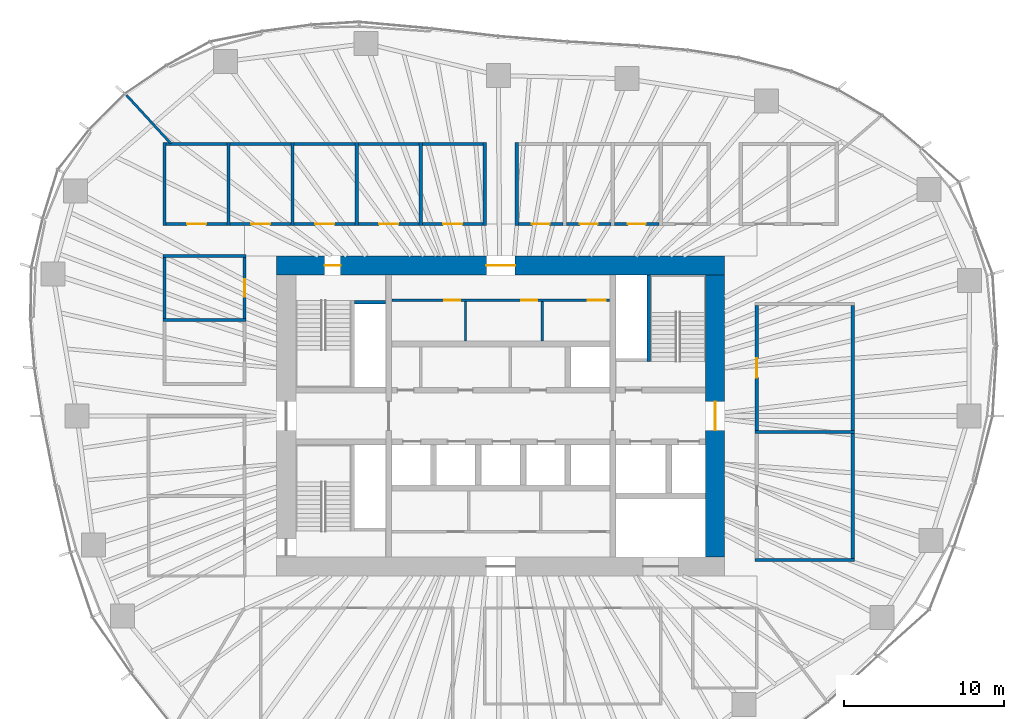
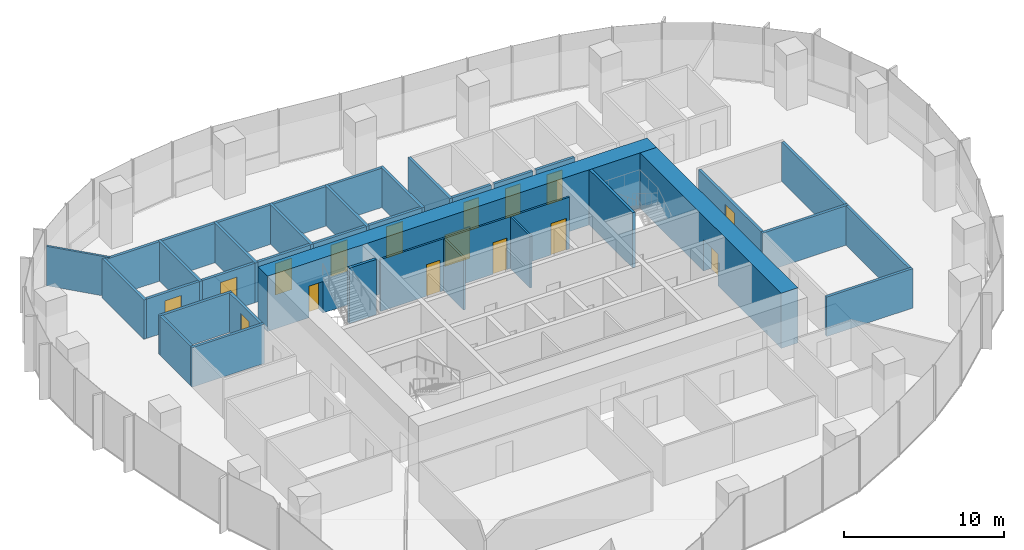
# One storey, part 10 of 18: 37 walls, 16 doors, 16 openings.
"""IFC4 building model written with IfcOpenShell, lengths in metres."""

from ifc_helpers import new_model, si_unit, direction, frame, frame_2d, origin, place, context, subcontext, project, spatial, rectangle, extrude, material, layer, layer_set, type_object, element, fill, save


model = new_model("IFC4")

# Units and contexts
model_context = context("Model", 3, precision=1e-05, world=origin(), true_north=direction((0.0, 1.0)))
body_context = subcontext(model_context, "Body", "Model", "MODEL_VIEW")
ifc_project = project(units=[si_unit("LENGTHUNIT", "METRE"), si_unit("AREAUNIT", "SQUARE_METRE"), si_unit("VOLUMEUNIT", "CUBIC_METRE"), si_unit("PLANEANGLEUNIT", "RADIAN"), si_unit("MASSUNIT", "GRAM", prefix="KILO")], contexts=[model_context])

# Site, building, storey
site_placement = place(None, origin())
site = spatial("IfcSite", under=ifc_project, at=site_placement, CompositionType="ELEMENT")
building_placement = place(site_placement, origin())
building = spatial("IfcBuilding", under=site, at=building_placement, Name="Ghaith Harvest Tower", CompositionType="ELEMENT")
storey_placement = place(building_placement, frame((0.0, 0.0, 134.39990234375)))
storey = spatial("IfcBuildingStorey", under=building, at=storey_placement, Name="L28", CompositionType="ELEMENT", Elevation=134.39990234375)

# Walls
ifc_material_1 = material(Name="Twin-stud gypsum board, acoustic", Category="gypsum")
ifc_layer_1 = layer(ifc_material_1, 0.199951171875)
ifc_layer_set_1 = layer_set([ifc_layer_1], Name="ACOUSTIC PARTITION 200")
wall_type_1 = type_object("IfcWallType", Name="ACOUSTIC PARTITION 200", PredefinedType="PARTITIONING", material=ifc_layer_set_1)
for number, where, z_axis, x_axis, name in (
    (1, (-21.0, 11.89990234375, 0.0), (0.0, 0.0, 1.0), (0.0, 1.0, 0.0), "Partition L28 row N3 cross wall 1"),
    (2, (-17.0, 11.89990234375, 0.0), (0.0, 0.0, 1.0), (0.0, 1.0, 0.0), "Partition L28 row N3 cross wall 2"),
    (3, (-13.0, 11.89990234375, 0.0), (0.0, 0.0, 1.0), (0.0, 1.0, 0.0), "Partition L28 row N3 cross wall 3"),
    (4, (-9.0, 11.89990234375, 0.0), (0.0, 0.0, 1.0), (0.0, 1.0, 0.0), "Partition L28 row N3 cross wall 4"),
    (5, (-5.0, 11.89990234375, 0.0), (0.0, 0.0, 1.0), (0.0, 1.0, 0.0), "Partition L28 row N3 cross wall 5"),
    (6, (-1.0, 11.89990234375, 0.0), (0.0, 0.0, 1.0), (0.0, 1.0, 0.0), "Partition L28 row N3 cross wall 6"),
):
    element("IfcWall", number, at=place(storey_placement, frame(where, z_axis=z_axis, x_axis=x_axis)), inside=storey, type_object=wall_type_1, Name=name, PredefinedType="PARTITIONING", context=body_context, shape_type="SweptSolid", body=[
        extrude(rectangle(XDim=5.2001953125, YDim=0.199951171875, at=frame_2d((2.60009765625, 0.0))), origin(), (0.0, 0.0, 1.0), 3.0),
    ])

# Wall, opening, door
wall_1_placement = place(storey_placement, frame((-20.89990234375, 12.0, 0.0), z_axis=(0.0, 0.0, 1.0), x_axis=(1.0, 0.0, 0.0)))
wall_1 = element("IfcWall", 7, at=wall_1_placement, inside=storey, type_object=wall_type_1, Name="Partition L28-04", PredefinedType="PARTITIONING", context=body_context, shape_type="SweptSolid", body=[
    extrude(rectangle(XDim=3.7998046875, YDim=0.199951171875, at=frame_2d((1.89990234375, 0.0))), origin(), (0.0, 0.0, 1.0), 3.0),
])
opening_1_placement = place(wall_1_placement, frame((1.300048828125, 0.0, 0.0)))
opening_1 = element("IfcOpeningElement", 8, at=opening_1_placement, cuts=wall_1, Name="Opening 28-029", PredefinedType="OPENING", context=body_context, shape_type="SweptSolid", body=[
    extrude(rectangle(XDim=1.199951171875, YDim=2.39990234375, at=frame_2d((0.60009765625, 1.199951171875))), frame((0.0, 0.10986328125, 0.0), z_axis=(0.0, -1.0, 0.0), x_axis=(1.0, 0.0, 0.0)), (0.0, 0.0, 1.0), 0.219970703125),
])
ifc_material_2 = material(Name="Timber door", Category="wood")
door_type_1 = type_object("IfcDoorType", Name="D11 GLAZED 1200x2400", OperationType="SINGLE_SWING_LEFT", PredefinedType="DOOR", material=ifc_material_2)
door_1_placement = place(opening_1_placement, origin())
door_1 = element("IfcDoor", 9, at=door_1_placement, inside=storey, type_object=door_type_1, Name="Meeting room door", OperationType="SINGLE_SWING_LEFT", OverallHeight=2.39990234375, OverallWidth=1.199951171875, PredefinedType="DOOR", context=body_context, shape_type="SweptSolid", body=[
    extrude(rectangle(XDim=1.199951171875, YDim=2.39990234375, at=frame_2d((0.60009765625, 1.199951171875))), frame((0.0, 0.02490234375, 0.0), z_axis=(0.0, -1.0, 0.0), x_axis=(1.0, 0.0, 0.0)), (0.0, 0.0, 1.0), 0.050048828125),
])
fill(opening_1, door_1)

# Wall
wall_2_placement = place(storey_placement, frame((-20.89990234375, 17.0, 0.0), z_axis=(0.0, 0.0, 1.0), x_axis=(1.0, 0.0, 0.0)))
element("IfcWall", 10, at=wall_2_placement, inside=storey, type_object=wall_type_1, Name="Partition L28-04", PredefinedType="PARTITIONING", context=body_context, shape_type="SweptSolid", body=[
    extrude(rectangle(XDim=3.7998046875, YDim=0.199951171875, at=frame_2d((1.89990234375, 0.0))), origin(), (0.0, 0.0, 1.0), 3.0),
])

# Wall, opening, door
wall_3_placement = place(storey_placement, frame((-16.89990234375, 12.0, 0.0), z_axis=(0.0, 0.0, 1.0), x_axis=(1.0, 0.0, 0.0)))
wall_3 = element("IfcWall", 11, at=wall_3_placement, inside=storey, type_object=wall_type_1, Name="Partition L28-05", PredefinedType="PARTITIONING", context=body_context, shape_type="SweptSolid", body=[
    extrude(rectangle(XDim=3.7998046875, YDim=0.199951171875, at=frame_2d((1.89990234375, 0.0))), origin(), (0.0, 0.0, 1.0), 3.0),
])
opening_2_placement = place(wall_3_placement, frame((1.300048828125, 0.0, 0.0)))
opening_2 = element("IfcOpeningElement", 12, at=opening_2_placement, cuts=wall_3, Name="Opening 28-030", PredefinedType="OPENING", context=body_context, shape_type="SweptSolid", body=[
    extrude(rectangle(XDim=1.199951171875, YDim=2.39990234375, at=frame_2d((0.60009765625, 1.199951171875))), frame((0.0, 0.10986328125, 0.0), z_axis=(0.0, -1.0, 0.0), x_axis=(1.0, 0.0, 0.0)), (0.0, 0.0, 1.0), 0.219970703125),
])
door_2_placement = place(opening_2_placement, origin())
door_2 = element("IfcDoor", 13, at=door_2_placement, inside=storey, type_object=door_type_1, Name="Meeting room door", OperationType="SINGLE_SWING_LEFT", OverallHeight=2.39990234375, OverallWidth=1.199951171875, PredefinedType="DOOR", context=body_context, shape_type="SweptSolid", body=[
    extrude(rectangle(XDim=1.199951171875, YDim=2.39990234375, at=frame_2d((0.60009765625, 1.199951171875))), frame((0.0, 0.02490234375, 0.0), z_axis=(0.0, -1.0, 0.0), x_axis=(1.0, 0.0, 0.0)), (0.0, 0.0, 1.0), 0.050048828125),
])
fill(opening_2, door_2)

# Wall
wall_4_placement = place(storey_placement, frame((-16.89990234375, 17.0, 0.0), z_axis=(0.0, 0.0, 1.0), x_axis=(1.0, 0.0, 0.0)))
element("IfcWall", 14, at=wall_4_placement, inside=storey, type_object=wall_type_1, Name="Partition L28-05", PredefinedType="PARTITIONING", context=body_context, shape_type="SweptSolid", body=[
    extrude(rectangle(XDim=3.7998046875, YDim=0.199951171875, at=frame_2d((1.89990234375, 0.0))), origin(), (0.0, 0.0, 1.0), 3.0),
])

# Wall, opening, door
wall_5_placement = place(storey_placement, frame((-12.89990234375, 12.0, 0.0), z_axis=(0.0, 0.0, 1.0), x_axis=(1.0, 0.0, 0.0)))
wall_5 = element("IfcWall", 15, at=wall_5_placement, inside=storey, type_object=wall_type_1, Name="Partition L28-06", PredefinedType="PARTITIONING", context=body_context, shape_type="SweptSolid", body=[
    extrude(rectangle(XDim=3.7998046875, YDim=0.199951171875, at=frame_2d((1.89990234375, 0.0))), origin(), (0.0, 0.0, 1.0), 3.0),
])
opening_3_placement = place(wall_5_placement, frame((1.300048828125, 0.0, 0.0)))
opening_3 = element("IfcOpeningElement", 16, at=opening_3_placement, cuts=wall_5, Name="Opening 28-031", PredefinedType="OPENING", context=body_context, shape_type="SweptSolid", body=[
    extrude(rectangle(XDim=1.199951171875, YDim=2.39990234375, at=frame_2d((0.60009765625, 1.199951171875))), frame((0.0, 0.10986328125, 0.0), z_axis=(0.0, -1.0, 0.0), x_axis=(1.0, 0.0, 0.0)), (0.0, 0.0, 1.0), 0.219970703125),
])
door_3_placement = place(opening_3_placement, origin())
door_3 = element("IfcDoor", 17, at=door_3_placement, inside=storey, type_object=door_type_1, Name="Meeting room door", OperationType="SINGLE_SWING_LEFT", OverallHeight=2.39990234375, OverallWidth=1.199951171875, PredefinedType="DOOR", context=body_context, shape_type="SweptSolid", body=[
    extrude(rectangle(XDim=1.199951171875, YDim=2.39990234375, at=frame_2d((0.60009765625, 1.199951171875))), frame((0.0, 0.02490234375, 0.0), z_axis=(0.0, -1.0, 0.0), x_axis=(1.0, 0.0, 0.0)), (0.0, 0.0, 1.0), 0.050048828125),
])
fill(opening_3, door_3)

# Wall
wall_6_placement = place(storey_placement, frame((-12.89990234375, 17.0, 0.0), z_axis=(0.0, 0.0, 1.0), x_axis=(1.0, 0.0, 0.0)))
element("IfcWall", 18, at=wall_6_placement, inside=storey, type_object=wall_type_1, Name="Partition L28-06", PredefinedType="PARTITIONING", context=body_context, shape_type="SweptSolid", body=[
    extrude(rectangle(XDim=3.7998046875, YDim=0.199951171875, at=frame_2d((1.89990234375, 0.0))), origin(), (0.0, 0.0, 1.0), 3.0),
])

# Wall, opening, door
wall_7_placement = place(storey_placement, frame((-8.89990234375, 12.0, 0.0), z_axis=(0.0, 0.0, 1.0), x_axis=(1.0, 0.0, 0.0)))
wall_7 = element("IfcWall", 19, at=wall_7_placement, inside=storey, type_object=wall_type_1, Name="Partition L28-07", PredefinedType="PARTITIONING", context=body_context, shape_type="SweptSolid", body=[
    extrude(rectangle(XDim=3.7998046875, YDim=0.199951171875, at=frame_2d((1.89990234375, 0.0))), origin(), (0.0, 0.0, 1.0), 3.0),
])
opening_4_placement = place(wall_7_placement, frame((1.300048828125, 0.0, 0.0)))
opening_4 = element("IfcOpeningElement", 20, at=opening_4_placement, cuts=wall_7, Name="Opening 28-032", PredefinedType="OPENING", context=body_context, shape_type="SweptSolid", body=[
    extrude(rectangle(XDim=1.199951171875, YDim=2.39990234375, at=frame_2d((0.60009765625, 1.199951171875))), frame((0.0, 0.10986328125, 0.0), z_axis=(0.0, -1.0, 0.0), x_axis=(1.0, 0.0, 0.0)), (0.0, 0.0, 1.0), 0.219970703125),
])
door_4_placement = place(opening_4_placement, origin())
door_4 = element("IfcDoor", 21, at=door_4_placement, inside=storey, type_object=door_type_1, Name="Meeting room door", OperationType="SINGLE_SWING_LEFT", OverallHeight=2.39990234375, OverallWidth=1.199951171875, PredefinedType="DOOR", context=body_context, shape_type="SweptSolid", body=[
    extrude(rectangle(XDim=1.199951171875, YDim=2.39990234375, at=frame_2d((0.60009765625, 1.199951171875))), frame((0.0, 0.02490234375, 0.0), z_axis=(0.0, -1.0, 0.0), x_axis=(1.0, 0.0, 0.0)), (0.0, 0.0, 1.0), 0.050048828125),
])
fill(opening_4, door_4)

# Wall
wall_8_placement = place(storey_placement, frame((-8.89990234375, 17.0, 0.0), z_axis=(0.0, 0.0, 1.0), x_axis=(1.0, 0.0, 0.0)))
element("IfcWall", 22, at=wall_8_placement, inside=storey, type_object=wall_type_1, Name="Partition L28-07", PredefinedType="PARTITIONING", context=body_context, shape_type="SweptSolid", body=[
    extrude(rectangle(XDim=3.7998046875, YDim=0.199951171875, at=frame_2d((1.89990234375, 0.0))), origin(), (0.0, 0.0, 1.0), 3.0),
])

# Wall, opening, door
wall_9_placement = place(storey_placement, frame((-4.89990234375, 12.0, 0.0), z_axis=(0.0, 0.0, 1.0), x_axis=(1.0, 0.0, 0.0)))
wall_9 = element("IfcWall", 23, at=wall_9_placement, inside=storey, type_object=wall_type_1, Name="Partition L28-08", PredefinedType="PARTITIONING", context=body_context, shape_type="SweptSolid", body=[
    extrude(rectangle(XDim=3.7998046875, YDim=0.199951171875, at=frame_2d((1.89990234375, 0.0))), origin(), (0.0, 0.0, 1.0), 3.0),
])
opening_5_placement = place(wall_9_placement, frame((1.300048828125, 0.0, 0.0)))
opening_5 = element("IfcOpeningElement", 24, at=opening_5_placement, cuts=wall_9, Name="Opening 28-033", PredefinedType="OPENING", context=body_context, shape_type="SweptSolid", body=[
    extrude(rectangle(XDim=1.199951171875, YDim=2.39990234375, at=frame_2d((0.60009765625, 1.199951171875))), frame((0.0, 0.10986328125, 0.0), z_axis=(0.0, -1.0, 0.0), x_axis=(1.0, 0.0, 0.0)), (0.0, 0.0, 1.0), 0.219970703125),
])
door_5_placement = place(opening_5_placement, origin())
door_5 = element("IfcDoor", 25, at=door_5_placement, inside=storey, type_object=door_type_1, Name="Meeting room door", OperationType="SINGLE_SWING_LEFT", OverallHeight=2.39990234375, OverallWidth=1.199951171875, PredefinedType="DOOR", context=body_context, shape_type="SweptSolid", body=[
    extrude(rectangle(XDim=1.199951171875, YDim=2.39990234375, at=frame_2d((0.60009765625, 1.199951171875))), frame((0.0, 0.02490234375, 0.0), z_axis=(0.0, -1.0, 0.0), x_axis=(1.0, 0.0, 0.0)), (0.0, 0.0, 1.0), 0.050048828125),
])
fill(opening_5, door_5)

# Walls
wall_10_placement = place(storey_placement, frame((-4.89990234375, 17.0, 0.0), z_axis=(0.0, 0.0, 1.0), x_axis=(1.0, 0.0, 0.0)))
element("IfcWall", 26, at=wall_10_placement, inside=storey, type_object=wall_type_1, Name="Partition L28-08", PredefinedType="PARTITIONING", context=body_context, shape_type="SweptSolid", body=[
    extrude(rectangle(XDim=3.7998046875, YDim=0.199951171875, at=frame_2d((1.89990234375, 0.0))), origin(), (0.0, 0.0, 1.0), 3.0),
])
wall_11_placement = place(storey_placement, frame((1.0, 11.89990234375, 0.0), z_axis=(0.0, 0.0, 1.0), x_axis=(0.0, 1.0, 0.0)))
element("IfcWall", 27, at=wall_11_placement, inside=storey, type_object=wall_type_1, Name="Partition L28 row N4 cross wall 1", PredefinedType="PARTITIONING", context=body_context, shape_type="SweptSolid", body=[
    extrude(rectangle(XDim=5.2001953125, YDim=0.199951171875, at=frame_2d((2.60009765625, 0.0))), origin(), (0.0, 0.0, 1.0), 3.0),
])

# Wall, opening, door
wall_12_placement = place(storey_placement, frame((1.10009765625, 12.0, 0.0), z_axis=(0.0, 0.0, 1.0), x_axis=(1.0, 0.0, 0.0)))
wall_12 = element("IfcWall", 28, at=wall_12_placement, inside=storey, type_object=wall_type_1, Name="Partition L28-09", PredefinedType="PARTITIONING", context=body_context, shape_type="SweptSolid", body=[
    extrude(rectangle(XDim=2.7998046875, YDim=0.199951171875, at=frame_2d((1.39990234375, 0.0))), origin(), (0.0, 0.0, 1.0), 3.0),
])
opening_6_placement = place(wall_12_placement, frame((0.85009765625, 0.0, 0.0)))
opening_6 = element("IfcOpeningElement", 29, at=opening_6_placement, cuts=wall_12, Name="Opening 28-034", PredefinedType="OPENING", context=body_context, shape_type="SweptSolid", body=[
    extrude(rectangle(XDim=1.10009765625, YDim=2.300048828125, at=frame_2d((0.550048828125, 1.14990234375))), frame((0.0, 0.10986328125, 0.0), z_axis=(0.0, -1.0, 0.0), x_axis=(1.0, 0.0, 0.0)), (0.0, 0.0, 1.0), 0.219970703125),
])
ifc_material_3 = material(Name="Timber-framed glazed door", Category="wood")
door_type_2 = type_object("IfcDoorType", Name="D12 GLAZED OFFICE 1100x2300", OperationType="SINGLE_SWING_LEFT", PredefinedType="DOOR", material=ifc_material_3)
door_6_placement = place(opening_6_placement, origin())
door_6 = element("IfcDoor", 30, at=door_6_placement, inside=storey, type_object=door_type_2, Name="Focus room door", OperationType="SINGLE_SWING_LEFT", OverallHeight=2.300048828125, OverallWidth=1.10009765625, PredefinedType="DOOR", context=body_context, shape_type="SweptSolid", body=[
    extrude(rectangle(XDim=1.10009765625, YDim=2.300048828125, at=frame_2d((0.550048828125, 1.14990234375))), frame((0.0, 0.02490234375, 0.0), z_axis=(0.0, -1.0, 0.0), x_axis=(1.0, 0.0, 0.0)), (0.0, 0.0, 1.0), 0.050048828125),
])
fill(opening_6, door_6)

wall_13_placement = place(storey_placement, frame((4.10009765625, 12.0, 0.0), z_axis=(0.0, 0.0, 1.0), x_axis=(1.0, 0.0, 0.0)))
wall_13 = element("IfcWall", 31, at=wall_13_placement, inside=storey, type_object=wall_type_1, Name="Partition L28-10", PredefinedType="PARTITIONING", context=body_context, shape_type="SweptSolid", body=[
    extrude(rectangle(XDim=2.7998046875, YDim=0.199951171875, at=frame_2d((1.39990234375, 0.0))), origin(), (0.0, 0.0, 1.0), 3.0),
])
opening_7_placement = place(wall_13_placement, frame((0.85009765625, 0.0, 0.0)))
opening_7 = element("IfcOpeningElement", 32, at=opening_7_placement, cuts=wall_13, Name="Opening 28-035", PredefinedType="OPENING", context=body_context, shape_type="SweptSolid", body=[
    extrude(rectangle(XDim=1.10009765625, YDim=2.300048828125, at=frame_2d((0.550048828125, 1.14990234375))), frame((0.0, 0.10986328125, 0.0), z_axis=(0.0, -1.0, 0.0), x_axis=(1.0, 0.0, 0.0)), (0.0, 0.0, 1.0), 0.219970703125),
])
door_7_placement = place(opening_7_placement, origin())
door_7 = element("IfcDoor", 33, at=door_7_placement, inside=storey, type_object=door_type_2, Name="Focus room door", OperationType="SINGLE_SWING_LEFT", OverallHeight=2.300048828125, OverallWidth=1.10009765625, PredefinedType="DOOR", context=body_context, shape_type="SweptSolid", body=[
    extrude(rectangle(XDim=1.10009765625, YDim=2.300048828125, at=frame_2d((0.550048828125, 1.14990234375))), frame((0.0, 0.02490234375, 0.0), z_axis=(0.0, -1.0, 0.0), x_axis=(1.0, 0.0, 0.0)), (0.0, 0.0, 1.0), 0.050048828125),
])
fill(opening_7, door_7)

wall_14_placement = place(storey_placement, frame((7.10009765625, 12.0, 0.0), z_axis=(0.0, 0.0, 1.0), x_axis=(1.0, 0.0, 0.0)))
wall_14 = element("IfcWall", 34, at=wall_14_placement, inside=storey, type_object=wall_type_1, Name="Partition L28-11", PredefinedType="PARTITIONING", context=body_context, shape_type="SweptSolid", body=[
    extrude(rectangle(XDim=2.7998046875, YDim=0.199951171875, at=frame_2d((1.39990234375, 0.0))), origin(), (0.0, 0.0, 1.0), 3.0),
])
opening_8_placement = place(wall_14_placement, frame((0.85009765625, 0.0, 0.0)))
opening_8 = element("IfcOpeningElement", 35, at=opening_8_placement, cuts=wall_14, Name="Opening 28-036", PredefinedType="OPENING", context=body_context, shape_type="SweptSolid", body=[
    extrude(rectangle(XDim=1.10009765625, YDim=2.300048828125, at=frame_2d((0.550048828125, 1.14990234375))), frame((0.0, 0.10986328125, 0.0), z_axis=(0.0, -1.0, 0.0), x_axis=(1.0, 0.0, 0.0)), (0.0, 0.0, 1.0), 0.219970703125),
])
door_8_placement = place(opening_8_placement, origin())
door_8 = element("IfcDoor", 36, at=door_8_placement, inside=storey, type_object=door_type_2, Name="Focus room door", OperationType="SINGLE_SWING_LEFT", OverallHeight=2.300048828125, OverallWidth=1.10009765625, PredefinedType="DOOR", context=body_context, shape_type="SweptSolid", body=[
    extrude(rectangle(XDim=1.10009765625, YDim=2.300048828125, at=frame_2d((0.550048828125, 1.14990234375))), frame((0.0, 0.02490234375, 0.0), z_axis=(0.0, -1.0, 0.0), x_axis=(1.0, 0.0, 0.0)), (0.0, 0.0, 1.0), 0.050048828125),
])
fill(opening_8, door_8)

# Walls
for number, where, z_axis, x_axis, name in (
    (37, (15.89990234375, -9.0, 0.0), (0.0, 0.0, 1.0), (1.0, 0.0, 0.0), "Partition L28 row E5 cross wall 1"),
    (38, (15.89990234375, -1.0, 0.0), (0.0, 0.0, 1.0), (1.0, 0.0, 0.0), "Partition L28 row E5 cross wall 2"),
):
    element("IfcWall", number, at=place(storey_placement, frame(where, z_axis=z_axis, x_axis=x_axis)), inside=storey, type_object=wall_type_1, Name=name, PredefinedType="PARTITIONING", context=body_context, shape_type="SweptSolid", body=[
        extrude(rectangle(XDim=6.2001953125, YDim=0.199951171875, at=frame_2d((3.10009765625, 0.0))), origin(), (0.0, 0.0, 1.0), 3.0),
    ])
wall_15_placement = place(storey_placement, frame((22.0, -8.89990234375, 0.0), z_axis=(0.0, 0.0, 1.0), x_axis=(0.0, 1.0, 0.0)))
element("IfcWall", 39, at=wall_15_placement, inside=storey, type_object=wall_type_1, Name="Partition L28-13", PredefinedType="PARTITIONING", context=body_context, shape_type="SweptSolid", body=[
    extrude(rectangle(XDim=7.7998046875, YDim=0.199951171875, at=frame_2d((3.89990234375, 0.0))), origin(), (0.0, 0.0, 1.0), 3.0),
])

# Wall, opening, door
wall_16_placement = place(storey_placement, frame((16.0, -0.89990234375, 0.0), z_axis=(0.0, 0.0, 1.0), x_axis=(0.0, 1.0, 0.0)))
wall_16 = element("IfcWall", 40, at=wall_16_placement, inside=storey, type_object=wall_type_1, Name="Partition L28-14", PredefinedType="PARTITIONING", context=body_context, shape_type="SweptSolid", body=[
    extrude(rectangle(XDim=7.7998046875, YDim=0.199951171875, at=frame_2d((3.89990234375, 0.0))), origin(), (0.0, 0.0, 1.0), 3.0),
])
opening_9_placement = place(wall_16_placement, frame((3.300048828125, 0.0, 0.0)))
opening_9 = element("IfcOpeningElement", 41, at=opening_9_placement, cuts=wall_16, Name="Opening 28-039", PredefinedType="OPENING", context=body_context, shape_type="SweptSolid", body=[
    extrude(rectangle(XDim=1.199951171875, YDim=2.39990234375, at=frame_2d((0.60009765625, 1.199951171875))), frame((0.0, 0.10986328125, 0.0), z_axis=(0.0, -1.0, 0.0), x_axis=(1.0, 0.0, 0.0)), (0.0, 0.0, 1.0), 0.219970703125),
])
door_9_placement = place(opening_9_placement, origin())
door_9 = element("IfcDoor", 42, at=door_9_placement, inside=storey, type_object=door_type_1, Name="Meeting room door", OperationType="SINGLE_SWING_LEFT", OverallHeight=2.39990234375, OverallWidth=1.199951171875, PredefinedType="DOOR", context=body_context, shape_type="SweptSolid", body=[
    extrude(rectangle(XDim=1.199951171875, YDim=2.39990234375, at=frame_2d((0.60009765625, 1.199951171875))), frame((0.0, 0.02490234375, 0.0), z_axis=(0.0, -1.0, 0.0), x_axis=(1.0, 0.0, 0.0)), (0.0, 0.0, 1.0), 0.050048828125),
])
fill(opening_9, door_9)

# Walls
wall_17_placement = place(storey_placement, frame((22.0, -0.89990234375, 0.0), z_axis=(0.0, 0.0, 1.0), x_axis=(0.0, 1.0, 0.0)))
element("IfcWall", 43, at=wall_17_placement, inside=storey, type_object=wall_type_1, Name="Partition L28-14", PredefinedType="PARTITIONING", context=body_context, shape_type="SweptSolid", body=[
    extrude(rectangle(XDim=7.7998046875, YDim=0.199951171875, at=frame_2d((3.89990234375, 0.0))), origin(), (0.0, 0.0, 1.0), 3.0),
])
for number, where, z_axis, x_axis, name in (
    (44, (-15.89990234375, 6.0, 0.0), (0.0, 0.0, 1.0), (-1.0, 0.0, 0.0), "Partition L28 row W9 cross wall 2"),
    (45, (-15.89990234375, 10.0, 0.0), (0.0, 0.0, 1.0), (-1.0, 0.0, 0.0), "Partition L28 row W9 cross wall 3"),
):
    element("IfcWall", number, at=place(storey_placement, frame(where, z_axis=z_axis, x_axis=x_axis)), inside=storey, type_object=wall_type_1, Name=name, PredefinedType="PARTITIONING", context=body_context, shape_type="SweptSolid", body=[
        extrude(rectangle(XDim=5.2001953125, YDim=0.199951171875, at=frame_2d((2.60009765625, 0.0))), origin(), (0.0, 0.0, 1.0), 3.0),
    ])

# Wall, opening, door
wall_18_placement = place(storey_placement, frame((-16.0, 6.10009765625, 0.0), z_axis=(0.0, 0.0, 1.0), x_axis=(0.0, 1.0, 0.0)))
wall_18 = element("IfcWall", 46, at=wall_18_placement, inside=storey, type_object=wall_type_1, Name="Partition L28-21", PredefinedType="PARTITIONING", context=body_context, shape_type="SweptSolid", body=[
    extrude(rectangle(XDim=3.7998046875, YDim=0.199951171875, at=frame_2d((1.89990234375, 0.0))), origin(), (0.0, 0.0, 1.0), 3.0),
])
opening_10_placement = place(wall_18_placement, frame((1.35009765625, 0.0, 0.0)))
opening_10 = element("IfcOpeningElement", 47, at=opening_10_placement, cuts=wall_18, Name="Opening 28-046", PredefinedType="OPENING", context=body_context, shape_type="SweptSolid", body=[
    extrude(rectangle(XDim=1.10009765625, YDim=2.300048828125, at=frame_2d((0.550048828125, 1.14990234375))), frame((0.0, 0.10986328125, 0.0), z_axis=(0.0, -1.0, 0.0), x_axis=(1.0, 0.0, 0.0)), (0.0, 0.0, 1.0), 0.219970703125),
])
door_10_placement = place(opening_10_placement, origin())
door_10 = element("IfcDoor", 48, at=door_10_placement, inside=storey, type_object=door_type_2, Name="Quiet room door", OperationType="SINGLE_SWING_LEFT", OverallHeight=2.300048828125, OverallWidth=1.10009765625, PredefinedType="DOOR", context=body_context, shape_type="SweptSolid", body=[
    extrude(rectangle(XDim=1.10009765625, YDim=2.300048828125, at=frame_2d((0.550048828125, 1.14990234375))), frame((0.0, 0.02490234375, 0.0), z_axis=(0.0, -1.0, 0.0), x_axis=(1.0, 0.0, 0.0)), (0.0, 0.0, 1.0), 0.050048828125),
])
fill(opening_10, door_10)

# Wall
wall_19_placement = place(storey_placement, frame((-21.0, 6.10009765625, 0.0), z_axis=(0.0, 0.0, 1.0), x_axis=(0.0, 1.0, 0.0)))
element("IfcWall", 49, at=wall_19_placement, inside=storey, type_object=wall_type_1, Name="Partition L28-21", PredefinedType="PARTITIONING", context=body_context, shape_type="SweptSolid", body=[
    extrude(rectangle(XDim=3.7998046875, YDim=0.199951171875, at=frame_2d((1.89990234375, 0.0))), origin(), (0.0, 0.0, 1.0), 3.0),
])

# Wall, openings, doors
ifc_material_4 = material(Name="Concrete blockwork, fair-faced", Category="masonry")
ifc_layer_2 = layer(ifc_material_4, 0.139892578125)
ifc_layer_set_2 = layer_set([ifc_layer_2], Name="CORE PARTITION 140")
wall_type_2 = type_object("IfcWallType", Name="CORE PARTITION 140", PredefinedType="PARTITIONING", material=ifc_layer_set_2)
wall_20_placement = place(storey_placement, frame((-6.800048828125, 7.22998046875, 0.0), z_axis=(0.0, 0.0, 1.0), x_axis=(1.0, 0.0, 0.0)))
wall_20 = element("IfcWall", 50, at=wall_20_placement, inside=storey, type_object=wall_type_2, Name="Core partition L28", PredefinedType="PARTITIONING", context=body_context, shape_type="SweptSolid", body=[
    extrude(rectangle(XDim=13.60009765625, YDim=0.139892578125, at=frame_2d((6.800048828125, 0.0))), origin(), (0.0, 0.0, 1.0), 3.9501953125),
])
opening_11_placement = place(wall_20_placement, frame((3.280029296875, 0.0, 0.0)))
opening_11 = element("IfcOpeningElement", 51, at=opening_11_placement, cuts=wall_20, Name="Opening 28-008", PredefinedType="OPENING", context=body_context, shape_type="SweptSolid", body=[
    extrude(rectangle(XDim=1.0, YDim=2.39990234375, at=frame_2d((0.5, 1.199951171875))), frame((0.0, 0.080078125, 0.0), z_axis=(0.0, -1.0, 0.0), x_axis=(1.0, 0.0, 0.0)), (0.0, 0.0, 1.0), 0.159912109375),
])
opening_12_placement = place(wall_20_placement, frame((8.080078125, 0.0, 0.0)))
opening_12 = element("IfcOpeningElement", 52, at=opening_12_placement, cuts=wall_20, Name="Opening 28-009", PredefinedType="OPENING", context=body_context, shape_type="SweptSolid", body=[
    extrude(rectangle(XDim=1.0, YDim=2.39990234375, at=frame_2d((0.5, 1.199951171875))), frame((0.0, 0.080078125, 0.0), z_axis=(0.0, -1.0, 0.0), x_axis=(1.0, 0.0, 0.0)), (0.0, 0.0, 1.0), 0.159912109375),
])
opening_13_placement = place(wall_20_placement, frame((12.25, 0.0, 0.0)))
opening_13 = element("IfcOpeningElement", 53, at=opening_13_placement, cuts=wall_20, Name="Opening 28-010", PredefinedType="OPENING", context=body_context, shape_type="SweptSolid", body=[
    extrude(rectangle(XDim=1.10009765625, YDim=2.39990234375, at=frame_2d((0.550048828125, 1.199951171875))), frame((0.0, 0.080078125, 0.0), z_axis=(0.0, -1.0, 0.0), x_axis=(1.0, 0.0, 0.0)), (0.0, 0.0, 1.0), 0.159912109375),
])
ifc_material_5 = material(Name="Steel fire door", Category="steel")
door_type_3 = type_object("IfcDoorType", Name="D3 FD90 1000x2400", OperationType="SINGLE_SWING_LEFT", PredefinedType="DOOR", material=ifc_material_5)
door_11_placement = place(opening_11_placement, origin())
door_11 = element("IfcDoor", 54, at=door_11_placement, inside=storey, type_object=door_type_3, Name="Female WC door", OperationType="SINGLE_SWING_LEFT", OverallHeight=2.39990234375, OverallWidth=1.0, PredefinedType="DOOR", context=body_context, shape_type="SweptSolid", body=[
    extrude(rectangle(XDim=1.0, YDim=2.39990234375, at=frame_2d((0.5, 1.199951171875))), frame((0.0, 0.02490234375, 0.0), z_axis=(0.0, -1.0, 0.0), x_axis=(1.0, 0.0, 0.0)), (0.0, 0.0, 1.0), 0.050048828125),
])
fill(opening_11, door_11)
door_12_placement = place(opening_12_placement, origin())
door_12 = element("IfcDoor", 55, at=door_12_placement, inside=storey, type_object=door_type_3, Name="Male WC door", OperationType="SINGLE_SWING_RIGHT", OverallHeight=2.39990234375, OverallWidth=1.0, PredefinedType="DOOR", context=body_context, shape_type="SweptSolid", body=[
    extrude(rectangle(XDim=1.0, YDim=2.39990234375, at=frame_2d((0.5, 1.199951171875))), frame((0.0, 0.02490234375, 0.0), z_axis=(0.0, -1.0, 0.0), x_axis=(1.0, 0.0, 0.0)), (0.0, 0.0, 1.0), 0.050048828125),
])
fill(opening_12, door_12)
ifc_material_6 = material(Name="Steel fire door", Category="steel")
door_type_4 = type_object("IfcDoorType", Name="D9 FD90 1100x2400", OperationType="SINGLE_SWING_LEFT", PredefinedType="DOOR", material=ifc_material_6)
door_13_placement = place(opening_13_placement, origin())
door_13 = element("IfcDoor", 56, at=door_13_placement, inside=storey, type_object=door_type_4, Name="Accessible WC door", OperationType="SINGLE_SWING_RIGHT", OverallHeight=2.39990234375, OverallWidth=1.10009765625, PredefinedType="DOOR", context=body_context, shape_type="SweptSolid", body=[
    extrude(rectangle(XDim=1.10009765625, YDim=2.39990234375, at=frame_2d((0.550048828125, 1.199951171875))), frame((0.0, 0.02490234375, 0.0), z_axis=(0.0, -1.0, 0.0), x_axis=(1.0, 0.0, 0.0)), (0.0, 0.0, 1.0), 0.050048828125),
])
fill(opening_13, door_13)

# Walls
for number, where, z_axis, x_axis, name in (
    (57, (-2.199951171875, 4.699951171875, 0.0), (0.0, 0.0, 1.0), (0.0, 1.0, 0.0), "Core partition L28"),
    (58, (2.60009765625, 4.699951171875, 0.0), (0.0, 0.0, 1.0), (0.0, 1.0, 0.0), "Core partition L28"),
):
    element("IfcWall", number, at=place(storey_placement, frame(where, z_axis=z_axis, x_axis=x_axis)), inside=storey, type_object=wall_type_2, Name=name, PredefinedType="PARTITIONING", context=body_context, shape_type="SweptSolid", body=[
        extrude(rectangle(XDim=2.4599609375, YDim=0.139892578125, at=frame_2d((1.22998046875, 0.0))), origin(), (0.0, 0.0, 1.0), 3.9501953125),
    ])

# Wall, openings, doors
ifc_material_7 = material(Name="Concrete C60/75", Category="concrete")
ifc_layer_3 = layer(ifc_material_7, 1.199951171875)
ifc_layer_set_3 = layer_set([ifc_layer_3], Name="CORE WALL CW1200 C60")
wall_type_3 = type_object("IfcWallType", Name="CORE WALL CW1200 C60", PredefinedType="SHEAR", material=ifc_layer_set_3)
wall_21_placement = place(storey_placement, frame((14.0, 9.39990234375, 0.0), z_axis=(0.0, 0.0, 1.0), x_axis=(-1.0, 0.0, 0.0)))
wall_21 = element("IfcWall", 59, at=wall_21_placement, inside=storey, type_object=wall_type_3, Name="Core wall N L28", PredefinedType="SHEAR", context=body_context, shape_type="SweptSolid", body=[
    extrude(rectangle(XDim=28.0, YDim=1.199951171875, at=frame_2d((14.0, 0.0))), origin(), (0.0, 0.0, 1.0), 4.2001953125),
])
opening_14_placement = place(wall_21_placement, frame((24.0, 0.0, 0.0)))
opening_14 = element("IfcOpeningElement", 60, at=opening_14_placement, cuts=wall_21, Name="Opening 28-005", PredefinedType="OPENING", context=body_context, shape_type="SweptSolid", body=[
    extrude(rectangle(XDim=1.0, YDim=2.39990234375, at=frame_2d((0.5, 1.199951171875))), frame((0.0, 0.60986328125, 0.0), z_axis=(0.0, -1.0, 0.0), x_axis=(1.0, 0.0, 0.0)), (0.0, 0.0, 1.0), 1.219970703125),
])
opening_15_placement = place(wall_21_placement, frame((13.10009765625, 0.0, 0.0)))
opening_15 = element("IfcOpeningElement", 61, at=opening_15_placement, cuts=wall_21, Name="Opening 28-017", PredefinedType="OPENING", context=body_context, shape_type="SweptSolid", body=[
    extrude(rectangle(XDim=1.800048828125, YDim=2.39990234375, at=frame_2d((0.89990234375, 1.199951171875))), frame((0.0, 0.60986328125, 0.0), z_axis=(0.0, -1.0, 0.0), x_axis=(1.0, 0.0, 0.0)), (0.0, 0.0, 1.0), 1.219970703125),
])
door_14_placement = place(opening_14_placement, origin())
door_14 = element("IfcDoor", 62, at=door_14_placement, inside=storey, type_object=door_type_3, Name="Stair ST1 door", OperationType="SINGLE_SWING_RIGHT", OverallHeight=2.39990234375, OverallWidth=1.0, PredefinedType="DOOR", context=body_context, shape_type="SweptSolid", body=[
    extrude(rectangle(XDim=1.0, YDim=2.39990234375, at=frame_2d((0.5, 1.199951171875))), frame((0.0, 0.02490234375, 0.0), z_axis=(0.0, -1.0, 0.0), x_axis=(1.0, 0.0, 0.0)), (0.0, 0.0, 1.0), 0.050048828125),
])
fill(opening_14, door_14)
ifc_material_8 = material(Name="Steel fire door", Category="steel")
door_type_5 = type_object("IfcDoorType", Name="D4 FD90 PAIR 1800x2400", OperationType="DOUBLE_DOOR_SINGLE_SWING", PredefinedType="DOOR", material=ifc_material_8)
door_15_placement = place(opening_15_placement, origin())
door_15 = element("IfcDoor", 63, at=door_15_placement, inside=storey, type_object=door_type_5, Name="Core service corridor doors", OperationType="DOUBLE_DOOR_SINGLE_SWING", OverallHeight=2.39990234375, OverallWidth=1.800048828125, PredefinedType="DOOR", context=body_context, shape_type="SweptSolid", body=[
    extrude(rectangle(XDim=1.800048828125, YDim=2.39990234375, at=frame_2d((0.89990234375, 1.199951171875))), frame((0.0, 0.02490234375, 0.0), z_axis=(0.0, -1.0, 0.0), x_axis=(1.0, 0.0, 0.0)), (0.0, 0.0, 1.0), 0.050048828125),
])
fill(opening_15, door_15)

# Wall, opening, door
wall_22_placement = place(storey_placement, frame((13.39990234375, -8.800048828125, 0.0), z_axis=(0.0, 0.0, 1.0), x_axis=(0.0, 1.0, 0.0)))
wall_22 = element("IfcWall", 64, at=wall_22_placement, inside=storey, type_object=wall_type_3, Name="Core wall E L28", PredefinedType="SHEAR", context=body_context, shape_type="SweptSolid", body=[
    extrude(rectangle(XDim=17.60009765625, YDim=1.199951171875, at=frame_2d((8.800048828125, 0.0))), origin(), (0.0, 0.0, 1.0), 4.2001953125),
])
opening_16_placement = place(wall_22_placement, frame((7.89990234375, 0.0, 0.0)))
opening_16 = element("IfcOpeningElement", 65, at=opening_16_placement, cuts=wall_22, Name="Opening 28-002", PredefinedType="OPENING", context=body_context, shape_type="SweptSolid", body=[
    extrude(rectangle(XDim=1.800048828125, YDim=2.39990234375, at=frame_2d((0.89990234375, 1.199951171875))), frame((0.0, 0.60986328125, 0.0), z_axis=(0.0, -1.0, 0.0), x_axis=(1.0, 0.0, 0.0)), (0.0, 0.0, 1.0), 1.219970703125),
])
door_16_placement = place(opening_16_placement, origin())
door_16 = element("IfcDoor", 66, at=door_16_placement, inside=storey, type_object=door_type_5, Name="Fire-fighting lobby doors", OperationType="DOUBLE_DOOR_SINGLE_SWING", OverallHeight=2.39990234375, OverallWidth=1.800048828125, PredefinedType="DOOR", context=body_context, shape_type="SweptSolid", body=[
    extrude(rectangle(XDim=1.800048828125, YDim=2.39990234375, at=frame_2d((0.89990234375, 1.199951171875))), frame((0.0, 0.02490234375, 0.0), z_axis=(0.0, -1.0, 0.0), x_axis=(1.0, 0.0, 0.0)), (0.0, 0.0, 1.0), 0.050048828125),
])
fill(opening_16, door_16)

# Walls
ifc_material_9 = material(Name="Gypsum board on steel studs", Category="steel")
ifc_layer_4 = layer(ifc_material_9, 0.14990234375)
ifc_layer_set_4 = layer_set([ifc_layer_4], Name="PARTITION 150")
wall_type_4 = type_object("IfcWallType", Name="PARTITION 150", PredefinedType="PARTITIONING", material=ifc_layer_set_4)
wall_23_placement = place(storey_placement, frame((-20.607177734375, 17.02001953125, 0.0), z_axis=(0.0, 0.0, 1.0), x_axis=(-0.676173993609, 0.736741970005, 0.0)))
element("IfcWall", 67, at=wall_23_placement, inside=storey, type_object=wall_type_4, Name="Partition L28 zone division", PredefinedType="PARTITIONING", context=body_context, shape_type="SweptSolid", body=[
    extrude(rectangle(XDim=4.107421875, YDim=0.14990234375, at=frame_2d((2.0537109375, 0.0))), origin(), (0.0, 0.0, 1.0), 3.0),
])
ifc_material_10 = material(Name="Concrete C40/50", Category="concrete")
ifc_layer_5 = layer(ifc_material_10, 0.199951171875)
ifc_layer_set_5 = layer_set([ifc_layer_5], Name="STAIR SPINE WALL RC200")
wall_type_5 = type_object("IfcWallType", Name="STAIR SPINE WALL RC200", PredefinedType="SOLIDWALL", material=ifc_layer_set_5)
wall_24_placement = place(storey_placement, frame((-9.14990234375, 7.10009765625, 0.0), z_axis=(0.0, 0.0, 1.0), x_axis=(1.0, 0.0, 0.0)))
element("IfcWall", 68, at=wall_24_placement, inside=storey, type_object=wall_type_5, Name="Stair ST1 spine wall return L28", PredefinedType="SOLIDWALL", context=body_context, shape_type="SweptSolid", body=[
    extrude(rectangle(XDim=1.949951171875, YDim=0.199951171875, at=frame_2d((0.97509765625, 0.0))), origin(), (0.0, 0.0, 1.0), 4.2001953125),
])
wall_25_placement = place(storey_placement, frame((9.25, 3.39990234375, 0.0), z_axis=(0.0, 0.0, 1.0), x_axis=(0.0, 1.0, 0.0)))
element("IfcWall", 69, at=wall_25_placement, inside=storey, type_object=wall_type_5, Name="Stair ST2 spine wall L28", PredefinedType="SOLIDWALL", context=body_context, shape_type="SweptSolid", body=[
    extrude(rectangle(XDim=5.400146484375, YDim=0.199951171875, at=frame_2d((2.7001953125, 0.0))), origin(), (0.0, 0.0, 1.0), 4.2001953125),
])

save(model, "model.ifc")
